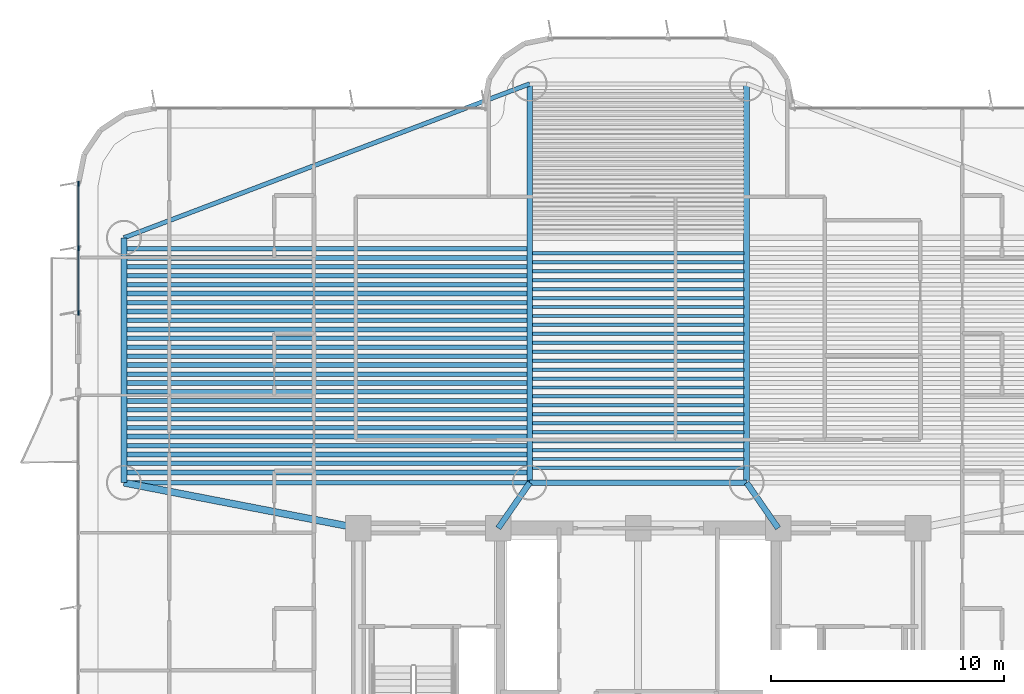
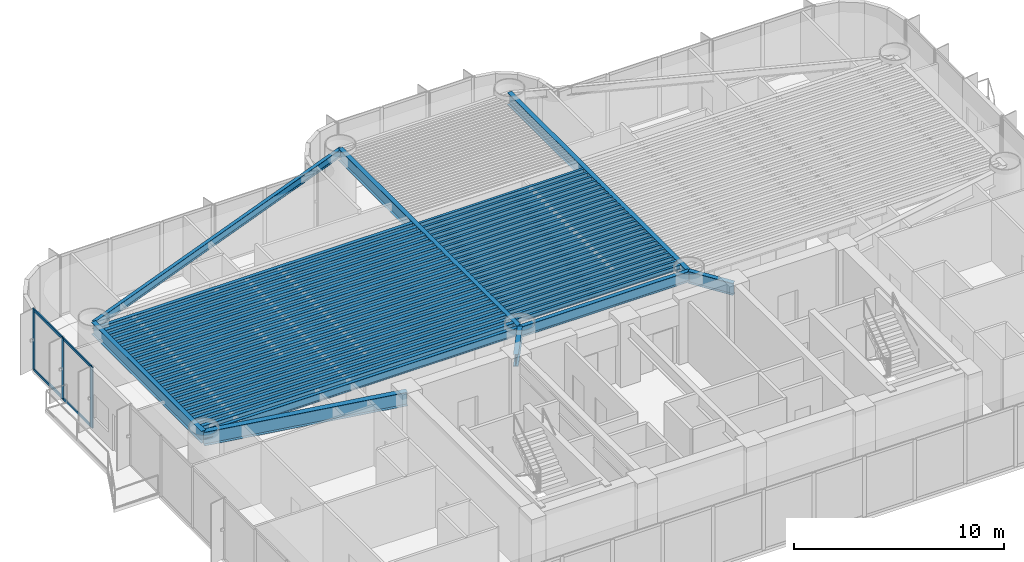
# One storey, part 3 of 18: 60 beams, 7 members, 1 element without a shape of its own.
"""IFC4 building model written with IfcOpenShell, lengths in metres."""

from ifc_helpers import new_model, si_unit, direction, frame, origin, origin_2d, place, context, subcontext, project, spatial, rectangle, i_section, extrude, source, transform, mapped, material, layer, layer_set, material_profile, profile_set, type_object, element, aggregate, save


model = new_model("IFC4")

# Units and contexts
model_context = context("Model", 3, precision=1e-05, world=origin(), true_north=direction((0.0, 1.0)))
body_context = subcontext(model_context, "Body", "Model", "MODEL_VIEW")
ifc_project = project(units=[si_unit("LENGTHUNIT", "METRE"), si_unit("AREAUNIT", "SQUARE_METRE"), si_unit("VOLUMEUNIT", "CUBIC_METRE"), si_unit("PLANEANGLEUNIT", "RADIAN"), si_unit("MASSUNIT", "GRAM", prefix="KILO")], contexts=[model_context])

# Site, building, storey
site_placement = place(None, origin())
site = spatial("IfcSite", under=ifc_project, at=site_placement, CompositionType="ELEMENT")
building_placement = place(site_placement, origin())
building = spatial("IfcBuilding", under=site, at=building_placement, Name="Brelvock Crest Care Tower", CompositionType="ELEMENT")
storey_placement = place(building_placement, frame((0.0, 0.0, 42.1201171875)))
storey = spatial("IfcBuildingStorey", under=building, at=storey_placement, Name="L10", CompositionType="ELEMENT", Elevation=42.1201171875)

# Beams
ifc_material_1 = material(Name="Steel Grade 350", Category="steel")
ifc_material_profile_1 = material_profile(ifc_material_1, i_section(OverallWidth=0.25, OverallDepth=0.699951171875, WebThickness=0.011962890625, FlangeThickness=0.02001953125, at=origin_2d()), Name="700WB150")
ifc_profile_set_1 = profile_set([ifc_material_profile_1], Name="Steel Grade 350")
beam_type_1 = type_object("IfcBeamType", Name="BM-G4", PredefinedType="BEAM", material=ifc_profile_set_1)
shared_shape_1 = source(origin(), body_context, "Body", "SweptSolid", [
    extrude(i_section(OverallWidth=0.25, OverallDepth=0.699951171875, WebThickness=0.011962890625, FlangeThickness=0.02001953125, at=origin_2d()), origin(), (0.0, 0.0, 1.0), 10.5),
])
beam_1_placement = place(storey_placement, frame((13.949951171875, 19.949951171875, 3.179931640625), z_axis=(0.0, 1.0, 0.0), x_axis=(-1.0, 0.0, 0.0)))
element("IfcBeam", 1, at=beam_1_placement, inside=storey, type_object=beam_type_1, Name="BM-TWR-L10-01", PredefinedType="BEAM", context=body_context, shape_type="MappedRepresentation", body=[
    mapped(shared_shape_1, transform((0.0, 0.0, 0.0), x_axis=(1.0, 0.0, 0.0), y_axis=(0.0, 1.0, 0.0), z_axis=(0.0, 0.0, 1.0), scale=1.0)),
])
ifc_material_profile_2 = material_profile(ifc_material_1, i_section(OverallWidth=0.19091796875, OverallDepth=0.4599609375, WebThickness=0.010009765625, FlangeThickness=0.01611328125, FilletRadius=0.011474609375, at=origin_2d()), Name="460UB82.1")
ifc_profile_set_2 = profile_set([ifc_material_profile_2], Name="Steel Grade 350")
beam_type_2 = type_object("IfcBeamType", Name="BM-SP2", PredefinedType="SPANDREL", material=ifc_profile_set_2)
shared_shape_2 = source(origin(), body_context, "Body", "SweptSolid", [
    extrude(i_section(OverallWidth=0.19091796875, OverallDepth=0.4599609375, WebThickness=0.010009765625, FlangeThickness=0.01611328125, FilletRadius=0.011474609375, at=origin_2d()), origin(), (0.0, 0.0, 1.0), 17.400146484375),
])
beam_2_placement = place(storey_placement, frame((13.949951171875, 19.949951171875, 3.2998046875), z_axis=(1.0, 0.0, 0.0), x_axis=(0.0, 1.0, 0.0)))
element("IfcBeam", 2, at=beam_2_placement, inside=storey, type_object=beam_type_2, Name="BM-TWR-L10-03", PredefinedType="SPANDREL", context=body_context, shape_type="MappedRepresentation", body=[
    mapped(shared_shape_2, transform((0.0, 0.0, 0.0), x_axis=(1.0, 0.0, 0.0), y_axis=(0.0, 1.0, 0.0), z_axis=(0.0, 0.0, 1.0), scale=1.0)),
])
ifc_material_profile_3 = material_profile(ifc_material_1, i_section(OverallWidth=0.22900390625, OverallDepth=0.612060546875, WebThickness=0.011962890625, FlangeThickness=0.01953125, FilletRadius=0.013916015625, at=origin_2d()), Name="610UB125")
ifc_profile_set_3 = profile_set([ifc_material_profile_3], Name="Steel Grade 350")
beam_type_3 = type_object("IfcBeamType", Name="BM-G1", PredefinedType="BEAM", material=ifc_profile_set_3)
shared_shape_3 = source(origin(), body_context, "Body", "SweptSolid", [
    extrude(i_section(OverallWidth=0.22900390625, OverallDepth=0.612060546875, WebThickness=0.011962890625, FlangeThickness=0.01953125, FilletRadius=0.013916015625, at=origin_2d()), origin(), (0.0, 0.0, 1.0), 9.2998046875),
])
beam_3_placement = place(storey_placement, frame((31.35009765625, 19.949951171875, 3.223876953125), z_axis=(1.0, 0.0, 0.0), x_axis=(0.0, 1.0, 0.0)))
element("IfcBeam", 3, at=beam_3_placement, inside=storey, type_object=beam_type_3, Name="BM-TWR-L10-05", PredefinedType="BEAM", context=body_context, shape_type="MappedRepresentation", body=[
    mapped(shared_shape_3, transform((0.0, 0.0, 0.0), x_axis=(1.0, 0.0, 0.0), y_axis=(0.0, 1.0, 0.0), z_axis=(0.0, 0.0, 1.0), scale=1.0)),
])
shared_shape_4 = source(origin(), body_context, "Body", "SweptSolid", [
    extrude(i_section(OverallWidth=0.19091796875, OverallDepth=0.4599609375, WebThickness=0.010009765625, FlangeThickness=0.01611328125, FilletRadius=0.011474609375, at=origin_2d()), origin(), (0.0, 0.0, 1.0), 18.60986328125),
])
beam_4_placement = place(storey_placement, frame((13.949951171875, 30.449951171875, 3.2998046875), z_axis=(0.934996776275, 0.3546562115, 0.0), x_axis=(-0.3546562115, 0.934996776275, 0.0)))
element("IfcBeam", 4, at=beam_4_placement, inside=storey, type_object=beam_type_2, Name="BM-TWR-L10-06", PredefinedType="SPANDREL", context=body_context, shape_type="MappedRepresentation", body=[
    mapped(shared_shape_4, transform((0.0, 0.0, 0.0), x_axis=(1.0, 0.0, 0.0), y_axis=(0.0, 1.0, 0.0), z_axis=(0.0, 0.0, 1.0), scale=1.0)),
])
shared_shape_5 = source(origin(), body_context, "Body", "SweptSolid", [
    extrude(i_section(OverallWidth=0.25, OverallDepth=0.699951171875, WebThickness=0.011962890625, FlangeThickness=0.02001953125, at=origin_2d()), origin(), (0.0, 0.0, 1.0), 17.10009765625),
])
for number, where, z_axis, x_axis, name in (
    (5, (31.35009765625, 19.949951171875, 3.179931640625), (0.0, 1.0, 0.0), (-1.0, 0.0, 0.0), "BM-TWR-L10-09"),
    (6, (40.64990234375, 19.949951171875, 3.179931640625), (0.0, 1.0, 0.0), (-1.0, 0.0, 0.0), "BM-TWR-L10-10"),
):
    element("IfcBeam", number, at=place(storey_placement, frame(where, z_axis=z_axis, x_axis=x_axis)), inside=storey, type_object=beam_type_1, Name=name, PredefinedType="BEAM", context=body_context, shape_type="MappedRepresentation", body=[
        mapped(shared_shape_5, transform((0.0, 0.0, 0.0), x_axis=(1.0, 0.0, 0.0), y_axis=(0.0, 1.0, 0.0), z_axis=(0.0, 0.0, 1.0), scale=1.0)),
    ])
shared_shape_6 = source(origin(), body_context, "Body", "SweptSolid", [
    extrude(i_section(OverallWidth=0.25, OverallDepth=0.699951171875, WebThickness=0.011962890625, FlangeThickness=0.02001953125, at=origin_2d()), origin(), (0.0, 0.0, 1.0), 2.371826171875),
])
for number, where, z_axis, x_axis, name in (
    (7, (30.0, 18.0, 3.179931640625), (0.569247447691, 0.8221662504, 0.0), (-0.8221662504, 0.569247447691, 0.0), "BM-THRW-L10"),
    (8, (42.0, 18.0, 3.179931640625), (-0.569247447691, 0.8221662504, 0.0), (-0.8221662504, -0.569247447691, 0.0), "BM-THRE-L10"),
):
    element("IfcBeam", number, at=place(storey_placement, frame(where, z_axis=z_axis, x_axis=x_axis)), inside=storey, type_object=beam_type_1, Name=name, PredefinedType="BEAM", context=body_context, shape_type="MappedRepresentation", body=[
        mapped(shared_shape_6, transform((0.0, 0.0, 0.0), x_axis=(1.0, 0.0, 0.0), y_axis=(0.0, 1.0, 0.0), z_axis=(0.0, 0.0, 1.0), scale=1.0)),
    ])
ifc_material_profile_4 = material_profile(ifc_material_1, i_section(OverallWidth=0.300048828125, OverallDepth=0.800048828125, WebThickness=0.013916015625, FlangeThickness=0.02197265625, at=origin_2d()), Name="800WB192")
ifc_profile_set_4 = profile_set([ifc_material_profile_4], Name="Steel Grade 350")
beam_type_4 = type_object("IfcBeamType", Name="BM-G5", PredefinedType="BEAM", material=ifc_profile_set_4)
shared_shape_7 = source(origin(), body_context, "Body", "SweptSolid", [
    extrude(i_section(OverallWidth=0.300048828125, OverallDepth=0.800048828125, WebThickness=0.013916015625, FlangeThickness=0.02197265625, at=origin_2d()), origin(), (0.0, 0.0, 1.0), 10.237548828125),
])
beam_5_placement = place(storey_placement, frame((24.0, 18.0, 3.1298828125), z_axis=(-0.981692632568, 0.190471979991, 0.0), x_axis=(-0.190471979991, -0.981692632568, 0.0)))
element("IfcBeam", 9, at=beam_5_placement, inside=storey, type_object=beam_type_4, Name="BM-THRO-W-L10", PredefinedType="BEAM", context=body_context, shape_type="MappedRepresentation", body=[
    mapped(shared_shape_7, transform((0.0, 0.0, 0.0), x_axis=(1.0, 0.0, 0.0), y_axis=(0.0, 1.0, 0.0), z_axis=(0.0, 0.0, 1.0), scale=1.0)),
])
ifc_material_profile_5 = material_profile(ifc_material_1, i_section(OverallWidth=0.208984375, OverallDepth=0.532958984375, WebThickness=0.01025390625, FlangeThickness=0.015625, FilletRadius=0.013916015625, at=origin_2d()), Name="530UB92.4")
ifc_profile_set_5 = profile_set([ifc_material_profile_5], Name="Steel Grade 350")
beam_type_5 = type_object("IfcBeamType", Name="BM-G2", PredefinedType="BEAM", material=ifc_profile_set_5)
shared_shape_8 = source(origin(), body_context, "Body", "SweptSolid", [
    extrude(i_section(OverallWidth=0.208984375, OverallDepth=0.532958984375, WebThickness=0.01025390625, FlangeThickness=0.015625, FilletRadius=0.013916015625, at=origin_2d()), origin(), (0.0, 0.0, 1.0), 17.170166015625),
])
for number, where, z_axis, x_axis, name in (
    (10, (14.06494140625, 20.39111328125, 3.263427734375), (1.0, 0.0, 0.0), (0.0, 1.0, 0.0), "BM-JW-L10-1"),
    (11, (14.06494140625, 21.157470703125, 3.263427734375), (1.0, 0.0, 0.0), (0.0, 1.0, 0.0), "BM-JW-L10-3"),
    (12, (14.06494140625, 21.924072265625, 3.263427734375), (1.0, 0.0, 0.0), (0.0, 1.0, 0.0), "BM-JW-L10-5"),
    (13, (14.06494140625, 22.6904296875, 3.263427734375), (1.0, 0.0, 0.0), (0.0, 1.0, 0.0), "BM-JW-L10-7"),
    (14, (14.06494140625, 23.45703125, 3.263427734375), (1.0, 0.0, 0.0), (0.0, 1.0, 0.0), "BM-JW-L10-9"),
    (15, (14.06494140625, 24.223388671875, 3.263427734375), (1.0, 0.0, 0.0), (0.0, 1.0, 0.0), "BM-JW-L10-11"),
    (16, (14.06494140625, 24.989990234375, 3.263427734375), (1.0, 0.0, 0.0), (0.0, 1.0, 0.0), "BM-JW-L10-13"),
    (17, (14.06494140625, 25.756591796875, 3.263427734375), (1.0, 0.0, 0.0), (0.0, 1.0, 0.0), "BM-JW-L10-15"),
    (18, (14.06494140625, 26.52294921875, 3.263427734375), (1.0, 0.0, 0.0), (0.0, 1.0, 0.0), "BM-JW-L10-17"),
    (19, (14.06494140625, 27.28955078125, 3.263427734375), (1.0, 0.0, 0.0), (0.0, 1.0, 0.0), "BM-JW-L10-19"),
    (20, (14.06494140625, 28.055908203125, 3.263427734375), (1.0, 0.0, 0.0), (0.0, 1.0, 0.0), "BM-JW-L10-21"),
    (21, (14.06494140625, 28.822509765625, 3.263427734375), (1.0, 0.0, 0.0), (0.0, 1.0, 0.0), "BM-JW-L10-23"),
    (22, (14.06494140625, 29.589111328125, 3.263427734375), (1.0, 0.0, 0.0), (0.0, 1.0, 0.0), "BM-JW-L10-25"),
):
    element("IfcBeam", number, at=place(storey_placement, frame(where, z_axis=z_axis, x_axis=x_axis)), inside=storey, type_object=beam_type_5, Name=name, PredefinedType="BEAM", context=body_context, shape_type="MappedRepresentation", body=[
        mapped(shared_shape_8, transform((0.0, 0.0, 0.0), x_axis=(1.0, 0.0, 0.0), y_axis=(0.0, 1.0, 0.0), z_axis=(0.0, 0.0, 1.0), scale=1.0)),
    ])
ifc_material_profile_6 = material_profile(ifc_material_1, i_section(OverallWidth=0.14599609375, OverallDepth=0.256103515625, WebThickness=0.00634765625, FlangeThickness=0.010986328125, FilletRadius=0.0087890625, at=origin_2d()), Name="250UB37.3")
ifc_profile_set_6 = profile_set([ifc_material_profile_6], Name="Steel Grade 350")
beam_type_6 = type_object("IfcBeamType", Name="BM-J3", PredefinedType="JOIST", material=ifc_profile_set_6)
shared_shape_9 = source(origin(), body_context, "Body", "SweptSolid", [
    extrude(i_section(OverallWidth=0.14599609375, OverallDepth=0.256103515625, WebThickness=0.00634765625, FlangeThickness=0.010986328125, FilletRadius=0.0087890625, at=origin_2d()), origin(), (0.0, 0.0, 1.0), 9.06982421875),
])
for number, where, z_axis, x_axis, name in (
    (23, (31.465087890625, 20.58251953125, 3.40185546875), (1.0, 0.0, 0.0), (0.0, 1.0, 0.0), "BM-JH-L10-1"),
    (24, (31.465087890625, 20.9658203125, 3.40185546875), (1.0, 0.0, 0.0), (0.0, 1.0, 0.0), "BM-JH-L10-2"),
    (25, (31.465087890625, 21.34912109375, 3.40185546875), (1.0, 0.0, 0.0), (0.0, 1.0, 0.0), "BM-JH-L10-3"),
    (26, (31.465087890625, 21.732421875, 3.40185546875), (1.0, 0.0, 0.0), (0.0, 1.0, 0.0), "BM-JH-L10-4"),
    (27, (31.465087890625, 22.115478515625, 3.40185546875), (1.0, 0.0, 0.0), (0.0, 1.0, 0.0), "BM-JH-L10-5"),
    (28, (31.465087890625, 22.498779296875, 3.40185546875), (1.0, 0.0, 0.0), (0.0, 1.0, 0.0), "BM-JH-L10-6"),
    (29, (31.465087890625, 22.882080078125, 3.40185546875), (1.0, 0.0, 0.0), (0.0, 1.0, 0.0), "BM-JH-L10-7"),
    (30, (31.465087890625, 23.265380859375, 3.40185546875), (1.0, 0.0, 0.0), (0.0, 1.0, 0.0), "BM-JH-L10-8"),
    (31, (31.465087890625, 23.648681640625, 3.40185546875), (1.0, 0.0, 0.0), (0.0, 1.0, 0.0), "BM-JH-L10-9"),
    (32, (31.465087890625, 24.03173828125, 3.40185546875), (1.0, 0.0, 0.0), (0.0, 1.0, 0.0), "BM-JH-L10-10"),
    (33, (31.465087890625, 24.4150390625, 3.40185546875), (1.0, 0.0, 0.0), (0.0, 1.0, 0.0), "BM-JH-L10-11"),
    (34, (31.465087890625, 24.79833984375, 3.40185546875), (1.0, 0.0, 0.0), (0.0, 1.0, 0.0), "BM-JH-L10-12"),
    (35, (31.465087890625, 25.181640625, 3.40185546875), (1.0, 0.0, 0.0), (0.0, 1.0, 0.0), "BM-JH-L10-13"),
    (36, (31.465087890625, 25.564697265625, 3.40185546875), (1.0, 0.0, 0.0), (0.0, 1.0, 0.0), "BM-JH-L10-14"),
    (37, (31.465087890625, 25.947998046875, 3.40185546875), (1.0, 0.0, 0.0), (0.0, 1.0, 0.0), "BM-JH-L10-15"),
    (38, (31.465087890625, 26.331298828125, 3.40185546875), (1.0, 0.0, 0.0), (0.0, 1.0, 0.0), "BM-JH-L10-16"),
    (39, (31.465087890625, 26.714599609375, 3.40185546875), (1.0, 0.0, 0.0), (0.0, 1.0, 0.0), "BM-JH-L10-17"),
    (40, (31.465087890625, 27.097900390625, 3.40185546875), (1.0, 0.0, 0.0), (0.0, 1.0, 0.0), "BM-JH-L10-18"),
    (41, (31.465087890625, 27.481201171875, 3.40185546875), (1.0, 0.0, 0.0), (0.0, 1.0, 0.0), "BM-JH-L10-19"),
    (42, (31.465087890625, 27.864501953125, 3.40185546875), (1.0, 0.0, 0.0), (0.0, 1.0, 0.0), "BM-JH-L10-20"),
    (43, (31.465087890625, 28.24755859375, 3.40185546875), (1.0, 0.0, 0.0), (0.0, 1.0, 0.0), "BM-JH-L10-21"),
    (44, (31.465087890625, 28.630859375, 3.40185546875), (1.0, 0.0, 0.0), (0.0, 1.0, 0.0), "BM-JH-L10-22"),
    (45, (31.465087890625, 29.01416015625, 3.40185546875), (1.0, 0.0, 0.0), (0.0, 1.0, 0.0), "BM-JH-L10-23"),
    (46, (31.465087890625, 29.397216796875, 3.40185546875), (1.0, 0.0, 0.0), (0.0, 1.0, 0.0), "BM-JH-L10-24"),
    (47, (31.465087890625, 29.780517578125, 3.40185546875), (1.0, 0.0, 0.0), (0.0, 1.0, 0.0), "BM-JH-L10-25"),
):
    element("IfcBeam", number, at=place(storey_placement, frame(where, z_axis=z_axis, x_axis=x_axis)), inside=storey, type_object=beam_type_6, Name=name, PredefinedType="JOIST", context=body_context, shape_type="MappedRepresentation", body=[
        mapped(shared_shape_9, transform((0.0, 0.0, 0.0), x_axis=(1.0, 0.0, 0.0), y_axis=(0.0, 1.0, 0.0), z_axis=(0.0, 0.0, 1.0), scale=1.0)),
    ])
ifc_material_profile_7 = material_profile(ifc_material_1, i_section(OverallWidth=0.19091796875, OverallDepth=0.4599609375, WebThickness=0.010009765625, FlangeThickness=0.01611328125, FilletRadius=0.011474609375, at=origin_2d()), Name="460UB82.1")
ifc_profile_set_7 = profile_set([ifc_material_profile_7], Name="Steel Grade 350")
beam_type_7 = type_object("IfcBeamType", Name="BM-G3", PredefinedType="BEAM", material=ifc_profile_set_7)
shared_shape_10 = source(origin(), body_context, "Body", "SweptSolid", [
    extrude(i_section(OverallWidth=0.19091796875, OverallDepth=0.4599609375, WebThickness=0.010009765625, FlangeThickness=0.01611328125, FilletRadius=0.011474609375, at=origin_2d()), origin(), (0.0, 0.0, 1.0), 17.170166015625),
])
for number, where, z_axis, x_axis, name in (
    (48, (14.06494140625, 20.774169921875, 3.2998046875), (1.0, 0.0, 0.0), (0.0, 1.0, 0.0), "BM-JW-L10-2"),
    (49, (14.06494140625, 21.540771484375, 3.2998046875), (1.0, 0.0, 0.0), (0.0, 1.0, 0.0), "BM-JW-L10-4"),
    (50, (14.06494140625, 22.30712890625, 3.2998046875), (1.0, 0.0, 0.0), (0.0, 1.0, 0.0), "BM-JW-L10-6"),
    (51, (14.06494140625, 23.07373046875, 3.2998046875), (1.0, 0.0, 0.0), (0.0, 1.0, 0.0), "BM-JW-L10-8"),
    (52, (14.06494140625, 23.840087890625, 3.2998046875), (1.0, 0.0, 0.0), (0.0, 1.0, 0.0), "BM-JW-L10-10"),
    (53, (14.06494140625, 24.606689453125, 3.2998046875), (1.0, 0.0, 0.0), (0.0, 1.0, 0.0), "BM-JW-L10-12"),
    (54, (14.06494140625, 25.373291015625, 3.2998046875), (1.0, 0.0, 0.0), (0.0, 1.0, 0.0), "BM-JW-L10-14"),
    (55, (14.06494140625, 26.1396484375, 3.2998046875), (1.0, 0.0, 0.0), (0.0, 1.0, 0.0), "BM-JW-L10-16"),
    (56, (14.06494140625, 26.90625, 3.2998046875), (1.0, 0.0, 0.0), (0.0, 1.0, 0.0), "BM-JW-L10-18"),
    (57, (14.06494140625, 27.6728515625, 3.2998046875), (1.0, 0.0, 0.0), (0.0, 1.0, 0.0), "BM-JW-L10-20"),
    (58, (14.06494140625, 28.439208984375, 3.2998046875), (1.0, 0.0, 0.0), (0.0, 1.0, 0.0), "BM-JW-L10-22"),
    (59, (14.06494140625, 29.205810546875, 3.2998046875), (1.0, 0.0, 0.0), (0.0, 1.0, 0.0), "BM-JW-L10-24"),
    (60, (14.06494140625, 29.97216796875, 3.2998046875), (1.0, 0.0, 0.0), (0.0, 1.0, 0.0), "BM-JW-L10-26"),
):
    element("IfcBeam", number, at=place(storey_placement, frame(where, z_axis=z_axis, x_axis=x_axis)), inside=storey, type_object=beam_type_7, Name=name, PredefinedType="BEAM", context=body_context, shape_type="MappedRepresentation", body=[
        mapped(shared_shape_10, transform((0.0, 0.0, 0.0), x_axis=(1.0, 0.0, 0.0), y_axis=(0.0, 1.0, 0.0), z_axis=(0.0, 0.0, 1.0), scale=1.0)),
    ])

# Curtain wall, members
ifc_material_2 = material(Name="Dark Glass Double Glazed Low-E", Category="glass")
ifc_layer = layer(ifc_material_2, 0.195068359375, Name="CWS-2")
ifc_layer_set = layer_set([ifc_layer], Name="Dark Glass Double Glazed Low-E")
curtain_wall_type = type_object("IfcCurtainWallType", Name="CWS-2", PredefinedType="NOTDEFINED", material=ifc_layer_set)
curtain_wall_placement = place(storey_placement, origin())
curtain_wall = element("IfcCurtainWall", 61, at=curtain_wall_placement, inside=storey, type_object=curtain_wall_type, Name="L10 Curtain Wall E13B", PredefinedType="NOTDEFINED")
ifc_material_3 = material(Name="Aluminium 6063-T6", Category="aluminium")
ifc_material_profile_8 = material_profile(ifc_material_3, rectangle(XDim=0.06494140625, YDim=0.14990234375, at=origin_2d()), Name="ALU65x150")
ifc_profile_set_8 = profile_set([ifc_material_profile_8], Name="Aluminium 6063-T6")
member_type_1 = type_object("IfcMemberType", Name="CWT-1", PredefinedType="USERDEFINED", material=ifc_profile_set_8)
shared_shape_11 = source(origin(), body_context, "Body", "SweptSolid", [
    extrude(rectangle(XDim=0.06494140625, YDim=0.14990234375, at=origin_2d()), origin(), (0.0, 0.0, 1.0), 2.70263671875),
])
member_1_placement = place(storey_placement, frame((12.0, 27.264892578125, 0.032470703125), z_axis=(0.0, 1.0, 0.0), x_axis=(-1.0, 0.0, 0.0)))
member_1 = element("IfcMember", 62, at=member_1_placement, type_object=member_type_1, Name="CW-2 transom 1.1", ObjectType="TRANSOM", PredefinedType="USERDEFINED", context=body_context, shape_type="MappedRepresentation", body=[
    mapped(shared_shape_11, transform((0.0, 0.0, 0.0), x_axis=(1.0, 0.0, 0.0), y_axis=(0.0, 1.0, 0.0), z_axis=(0.0, 0.0, 1.0), scale=1.0)),
])
member_2_placement = place(storey_placement, frame((12.0, 27.264892578125, 3.497314453125), z_axis=(0.0, 1.0, 0.0), x_axis=(-1.0, 0.0, 0.0)))
member_2 = element("IfcMember", 63, at=member_2_placement, type_object=member_type_1, Name="CW-2 transom 1.2", ObjectType="TRANSOM", PredefinedType="USERDEFINED", context=body_context, shape_type="MappedRepresentation", body=[
    mapped(shared_shape_11, transform((0.0, 0.0, 0.0), x_axis=(1.0, 0.0, 0.0), y_axis=(0.0, 1.0, 0.0), z_axis=(0.0, 0.0, 1.0), scale=1.0)),
])
member_3_placement = place(storey_placement, frame((12.0, 30.032470703125, 0.032470703125), z_axis=(0.0, 1.0, 0.0), x_axis=(-1.0, 0.0, 0.0)))
member_3 = element("IfcMember", 64, at=member_3_placement, type_object=member_type_1, Name="CW-2 transom 2.1", ObjectType="TRANSOM", PredefinedType="USERDEFINED", context=body_context, shape_type="MappedRepresentation", body=[
    mapped(shared_shape_11, transform((0.0, 0.0, 0.0), x_axis=(1.0, 0.0, 0.0), y_axis=(0.0, 1.0, 0.0), z_axis=(0.0, 0.0, 1.0), scale=1.0)),
])
member_4_placement = place(storey_placement, frame((12.0, 30.032470703125, 3.497314453125), z_axis=(0.0, 1.0, 0.0), x_axis=(-1.0, 0.0, 0.0)))
member_4 = element("IfcMember", 65, at=member_4_placement, type_object=member_type_1, Name="CW-2 transom 2.2", ObjectType="TRANSOM", PredefinedType="USERDEFINED", context=body_context, shape_type="MappedRepresentation", body=[
    mapped(shared_shape_11, transform((0.0, 0.0, 0.0), x_axis=(1.0, 0.0, 0.0), y_axis=(0.0, 1.0, 0.0), z_axis=(0.0, 0.0, 1.0), scale=1.0)),
])
ifc_material_profile_9 = material_profile(ifc_material_3, rectangle(XDim=0.06494140625, YDim=0.199951171875, at=origin_2d()), Name="ALU65x200")
ifc_profile_set_9 = profile_set([ifc_material_profile_9], Name="Aluminium 6063-T6")
member_type_2 = type_object("IfcMemberType", Name="CWM-1", PredefinedType="MULLION", material=ifc_profile_set_9)
shared_shape_12 = source(origin(), body_context, "Body", "SweptSolid", [
    extrude(rectangle(XDim=0.06494140625, YDim=0.199951171875, at=origin_2d()), origin(), (0.0, 0.0, 1.0), 3.52978515625),
])
member_5_placement = place(storey_placement, frame((12.0, 27.232421875, 0.0), z_axis=(0.0, 0.0, 1.0), x_axis=(-1.0, 0.0, 0.0)))
member_5 = element("IfcMember", 66, at=member_5_placement, type_object=member_type_2, Name="CW-2 mullion 1", PredefinedType="MULLION", context=body_context, shape_type="MappedRepresentation", body=[
    mapped(shared_shape_12, transform((0.0, 0.0, 0.0), x_axis=(1.0, 0.0, 0.0), y_axis=(0.0, 1.0, 0.0), z_axis=(0.0, 0.0, 1.0), scale=1.0)),
])
member_6_placement = place(storey_placement, frame((12.0, 30.0, 0.0), z_axis=(0.0, 0.0, 1.0), x_axis=(-1.0, 0.0, 0.0)))
member_6 = element("IfcMember", 67, at=member_6_placement, type_object=member_type_2, Name="CW-2 mullion 2", PredefinedType="MULLION", context=body_context, shape_type="MappedRepresentation", body=[
    mapped(shared_shape_12, transform((0.0, 0.0, 0.0), x_axis=(1.0, 0.0, 0.0), y_axis=(0.0, 1.0, 0.0), z_axis=(0.0, 0.0, 1.0), scale=1.0)),
])
member_7_placement = place(storey_placement, frame((12.0, 32.767578125, 0.0), z_axis=(0.0, 0.0, 1.0), x_axis=(-1.0, 0.0, 0.0)))
member_7 = element("IfcMember", 68, at=member_7_placement, type_object=member_type_2, Name="CW-2 mullion 3", PredefinedType="MULLION", context=body_context, shape_type="MappedRepresentation", body=[
    mapped(shared_shape_12, transform((0.0, 0.0, 0.0), x_axis=(1.0, 0.0, 0.0), y_axis=(0.0, 1.0, 0.0), z_axis=(0.0, 0.0, 1.0), scale=1.0)),
])
aggregate(curtain_wall, [member_5, member_6, member_7, member_1, member_2, member_3, member_4])

save(model, "model.ifc")
